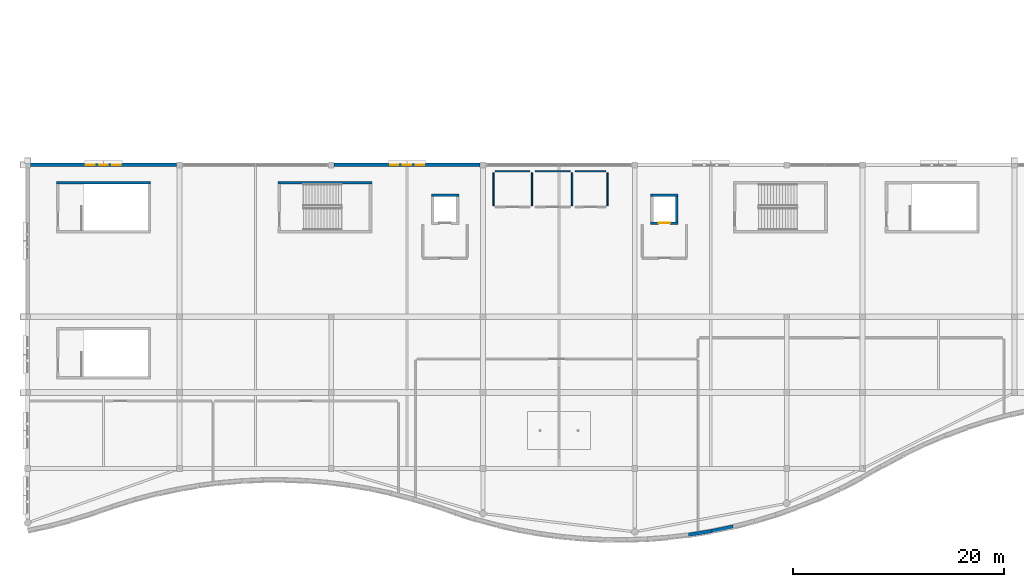
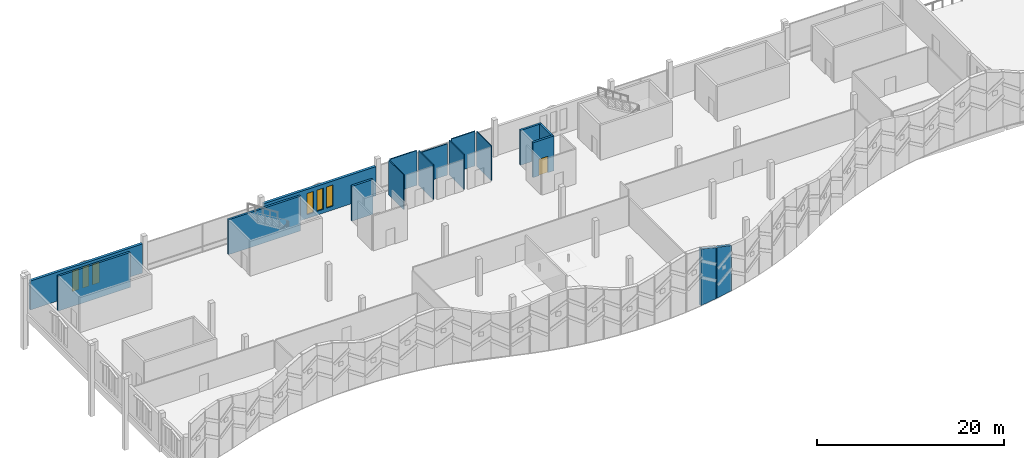
# One storey, part 84 of 116: 17 walls, 6 windows, 1 door, 7 openings.
"""IFC4 building model written with IfcOpenShell, lengths in metres."""

from ifc_helpers import new_model, si_unit, direction, frame, frame_2d, origin, place, context, subcontext, project, spatial, polyline, rectangle, outline, extrude, material, layer, layer_set, type_object, element, fill, save


model = new_model("IFC4")

# Units and contexts
model_context = context("Model", 3, precision=1e-05, world=origin(), true_north=direction((0.0, 1.0)))
body_context = subcontext(model_context, "Body", "Model", "MODEL_VIEW")
ifc_project = project(units=[si_unit("LENGTHUNIT", "METRE"), si_unit("AREAUNIT", "SQUARE_METRE"), si_unit("VOLUMEUNIT", "CUBIC_METRE"), si_unit("PLANEANGLEUNIT", "RADIAN"), si_unit("MASSUNIT", "GRAM", prefix="KILO")], contexts=[model_context])

# Site, building, storey
site_placement = place(None, origin())
site = spatial("IfcSite", under=ifc_project, at=site_placement, CompositionType="ELEMENT")
building_placement = place(site_placement, origin())
building = spatial("IfcBuilding", under=site, at=building_placement, Name="Cendralis Lancet Convention Centre", CompositionType="ELEMENT")
storey_placement = place(building_placement, frame((0.0, 0.0, 15.0)))
storey = spatial("IfcBuildingStorey", under=building, at=storey_placement, Name="L03", CompositionType="ELEMENT", Elevation=15.0)

# Wall, openings, windows
ifc_material_1 = material(Name="Buff sandstone ashlar and Concrete G40 (C40/50)", Category="masonry")
ifc_layer_1 = layer(ifc_material_1, 0.320068359375, Name="Buff sandstone ashlar and Concrete G40 (C40/50)")
ifc_layer_set_1 = layer_set([ifc_layer_1], Name="Buff sandstone ashlar and Concrete G40 (C40/50)")
wall_type_1 = type_object("IfcWallType", Name="ARC-EW-W320", PredefinedType="STANDARD", material=ifc_layer_set_1)
wall_1_placement = place(storey_placement, frame((0.282958984375, 36.0, 0.0), z_axis=(0.0, 0.0, 1.0), x_axis=(1.0, 0.0, 0.0)))
wall_1 = element("IfcWall", 1, at=wall_1_placement, inside=storey, type_object=wall_type_1, Name="L03 V4 Exterior Wall EW-06 #0218", PredefinedType="STANDARD", context=body_context, shape_type="SweptSolid", body=[
    extrude(rectangle(XDim=13.833984375, YDim=0.320068359375, at=frame_2d((6.9169921875, 0.0))), origin(), (0.0, 0.0, 1.0), 3.784912109375),
])
opening_1_placement = place(wall_1_placement, frame((5.257080078125, 0.0, 0.5)))
opening_1 = element("IfcOpeningElement", 2, at=opening_1_placement, cuts=wall_1, Name="Opening WN-15", PredefinedType="OPENING", context=body_context, shape_type="SweptSolid", body=[
    extrude(rectangle(XDim=0.840087890625, YDim=2.699951171875, at=frame_2d((0.419921875, 1.35009765625))), frame((0.0, 0.169921875, 0.0), z_axis=(0.0, -1.0, 0.0), x_axis=(1.0, 0.0, 0.0)), (0.0, 0.0, 1.0), 0.340087890625),
])
opening_2_placement = place(wall_1_placement, frame((6.51708984375, 0.0, 0.5)))
opening_2 = element("IfcOpeningElement", 3, at=opening_2_placement, cuts=wall_1, Name="Opening WN-07", PredefinedType="OPENING", context=body_context, shape_type="SweptSolid", body=[
    extrude(rectangle(XDim=0.800048828125, YDim=2.75, at=frame_2d((0.39990234375, 1.375))), frame((0.0, 0.169921875, 0.0), z_axis=(0.0, -1.0, 0.0), x_axis=(1.0, 0.0, 0.0)), (0.0, 0.0, 1.0), 0.340087890625),
])
opening_3_placement = place(wall_1_placement, frame((7.737060546875, 0.0, 0.5)))
opening_3 = element("IfcOpeningElement", 4, at=opening_3_placement, cuts=wall_1, Name="Opening WN-15", PredefinedType="OPENING", context=body_context, shape_type="SweptSolid", body=[
    extrude(rectangle(XDim=0.840087890625, YDim=2.699951171875, at=frame_2d((0.419921875, 1.35009765625))), frame((0.0, 0.169921875, 0.0), z_axis=(0.0, -1.0, 0.0), x_axis=(1.0, 0.0, 0.0)), (0.0, 0.0, 1.0), 0.340087890625),
])
ifc_material_2 = material(Name="Double-glazed low-E solar-control glass", Category="glass")
window_type_1 = type_object("IfcWindowType", Name="ARC-WN-LW07", PartitioningType="SINGLE_PANEL", PredefinedType="WINDOW", material=ifc_material_2)
window_1_placement = place(opening_2_placement, origin())
window_1 = element("IfcWindow", 5, at=window_1_placement, inside=storey, type_object=window_type_1, Name="Gothic Lancet Window WN-07 #0434", OverallHeight=2.75, OverallWidth=0.800048828125, PartitioningType="SINGLE_PANEL", PredefinedType="WINDOW", context=body_context, shape_type="SweptSolid", body=[
    extrude(rectangle(XDim=0.800048828125, YDim=2.75, at=frame_2d((0.39990234375, 1.375))), frame((0.0, 0.030029296875, 0.0), z_axis=(0.0, -1.0, 0.0), x_axis=(1.0, 0.0, 0.0)), (0.0, 0.0, 1.0), 0.06005859375),
])
fill(opening_2, window_1)
window_type_2 = type_object("IfcWindowType", Name="ARC-WN-LW15", PartitioningType="SINGLE_PANEL", PredefinedType="WINDOW", material=ifc_material_2)
window_2_placement = place(opening_1_placement, origin())
window_2 = element("IfcWindow", 6, at=window_2_placement, inside=storey, type_object=window_type_2, Name="Gothic Lancet Window WN-15 #0433", OverallHeight=2.699951171875, OverallWidth=0.840087890625, PartitioningType="SINGLE_PANEL", PredefinedType="WINDOW", context=body_context, shape_type="SweptSolid", body=[
    extrude(rectangle(XDim=0.840087890625, YDim=2.699951171875, at=frame_2d((0.419921875, 1.35009765625))), frame((0.0, 0.030029296875, 0.0), z_axis=(0.0, -1.0, 0.0), x_axis=(1.0, 0.0, 0.0)), (0.0, 0.0, 1.0), 0.06005859375),
])
fill(opening_1, window_2)
window_3_placement = place(opening_3_placement, origin())
window_3 = element("IfcWindow", 7, at=window_3_placement, inside=storey, type_object=window_type_2, Name="Gothic Lancet Window WN-15 #0435", OverallHeight=2.699951171875, OverallWidth=0.840087890625, PartitioningType="SINGLE_PANEL", PredefinedType="WINDOW", context=body_context, shape_type="SweptSolid", body=[
    extrude(rectangle(XDim=0.840087890625, YDim=2.699951171875, at=frame_2d((0.419921875, 1.35009765625))), frame((0.0, 0.030029296875, 0.0), z_axis=(0.0, -1.0, 0.0), x_axis=(1.0, 0.0, 0.0)), (0.0, 0.0, 1.0), 0.06005859375),
])
fill(opening_3, window_3)

wall_2_placement = place(storey_placement, frame((29.0830078125, 36.0, 0.0), z_axis=(0.0, 0.0, 1.0), x_axis=(1.0, 0.0, 0.0)))
wall_2 = element("IfcWall", 8, at=wall_2_placement, inside=storey, type_object=wall_type_1, Name="L03 V4 Exterior Wall EW-06 #0219", PredefinedType="STANDARD", context=body_context, shape_type="SweptSolid", body=[
    extrude(rectangle(XDim=13.833984375, YDim=0.320068359375, at=frame_2d((6.9169921875, 0.0))), origin(), (0.0, 0.0, 1.0), 3.784912109375),
])
opening_4_placement = place(wall_2_placement, frame((5.297119140625, 0.0, 0.5)))
opening_4 = element("IfcOpeningElement", 9, at=opening_4_placement, cuts=wall_2, Name="Opening WN-07", PredefinedType="OPENING", context=body_context, shape_type="SweptSolid", body=[
    extrude(rectangle(XDim=0.800048828125, YDim=2.75, at=frame_2d((0.39990234375, 1.375))), frame((0.0, 0.169921875, 0.0), z_axis=(0.0, -1.0, 0.0), x_axis=(1.0, 0.0, 0.0)), (0.0, 0.0, 1.0), 0.340087890625),
])
opening_5_placement = place(wall_2_placement, frame((6.51708984375, 0.0, 0.5)))
opening_5 = element("IfcOpeningElement", 10, at=opening_5_placement, cuts=wall_2, Name="Opening WN-07", PredefinedType="OPENING", context=body_context, shape_type="SweptSolid", body=[
    extrude(rectangle(XDim=0.800048828125, YDim=2.75, at=frame_2d((0.39990234375, 1.375))), frame((0.0, 0.169921875, 0.0), z_axis=(0.0, -1.0, 0.0), x_axis=(1.0, 0.0, 0.0)), (0.0, 0.0, 1.0), 0.340087890625),
])
opening_6_placement = place(wall_2_placement, frame((7.737060546875, 0.0, 0.5)))
opening_6 = element("IfcOpeningElement", 11, at=opening_6_placement, cuts=wall_2, Name="Opening WN-07", PredefinedType="OPENING", context=body_context, shape_type="SweptSolid", body=[
    extrude(rectangle(XDim=0.800048828125, YDim=2.75, at=frame_2d((0.39990234375, 1.375))), frame((0.0, 0.169921875, 0.0), z_axis=(0.0, -1.0, 0.0), x_axis=(1.0, 0.0, 0.0)), (0.0, 0.0, 1.0), 0.340087890625),
])
window_4_placement = place(opening_4_placement, origin())
window_4 = element("IfcWindow", 12, at=window_4_placement, inside=storey, type_object=window_type_1, Name="Gothic Lancet Window WN-07 #0436", OverallHeight=2.75, OverallWidth=0.800048828125, PartitioningType="SINGLE_PANEL", PredefinedType="WINDOW", context=body_context, shape_type="SweptSolid", body=[
    extrude(rectangle(XDim=0.800048828125, YDim=2.75, at=frame_2d((0.39990234375, 1.375))), frame((0.0, 0.030029296875, 0.0), z_axis=(0.0, -1.0, 0.0), x_axis=(1.0, 0.0, 0.0)), (0.0, 0.0, 1.0), 0.06005859375),
])
fill(opening_4, window_4)
window_5_placement = place(opening_5_placement, origin())
window_5 = element("IfcWindow", 13, at=window_5_placement, inside=storey, type_object=window_type_1, Name="Gothic Lancet Window WN-07 #0437", OverallHeight=2.75, OverallWidth=0.800048828125, PartitioningType="SINGLE_PANEL", PredefinedType="WINDOW", context=body_context, shape_type="SweptSolid", body=[
    extrude(rectangle(XDim=0.800048828125, YDim=2.75, at=frame_2d((0.39990234375, 1.375))), frame((0.0, 0.030029296875, 0.0), z_axis=(0.0, -1.0, 0.0), x_axis=(1.0, 0.0, 0.0)), (0.0, 0.0, 1.0), 0.06005859375),
])
fill(opening_5, window_5)
window_6_placement = place(opening_6_placement, origin())
window_6 = element("IfcWindow", 14, at=window_6_placement, inside=storey, type_object=window_type_1, Name="Gothic Lancet Window WN-07 #0438", OverallHeight=2.75, OverallWidth=0.800048828125, PartitioningType="SINGLE_PANEL", PredefinedType="WINDOW", context=body_context, shape_type="SweptSolid", body=[
    extrude(rectangle(XDim=0.800048828125, YDim=2.75, at=frame_2d((0.39990234375, 1.375))), frame((0.0, 0.030029296875, 0.0), z_axis=(0.0, -1.0, 0.0), x_axis=(1.0, 0.0, 0.0)), (0.0, 0.0, 1.0), 0.06005859375),
])
fill(opening_6, window_6)

# Walls
ifc_layer_2 = layer(ifc_material_1, 0.340087890625, Name="Buff sandstone ashlar and Concrete G40 (C40/50)")
ifc_layer_set_2 = layer_set([ifc_layer_2], Name="Buff sandstone ashlar and Concrete G40 (C40/50)")
wall_type_2 = type_object("IfcWallType", Name="ARC-EW-W340", PredefinedType="STANDARD", material=ifc_layer_set_2)
wall_3_placement = place(storey_placement, frame((62.697998046875, 0.911376953125, 0.0), z_axis=(0.0, 0.0, 1.0), x_axis=(0.986905765568, 0.161297891767, 0.0)))
element("IfcWall", 15, at=wall_3_placement, inside=storey, type_object=wall_type_2, Name="South Boulevard Wave Crest Wall L03 WP-032-WP-033", PredefinedType="STANDARD", context=body_context, shape_type="SweptSolid", body=[
    extrude(outline(polyline([(0.0, 0.0), (2.221923828125, 0.0), (2.221923828125, 6.604248046875), (0.0, 7.384521484375), (0.0, 0.0)])), frame((0.0, 0.169921875, 0.0), z_axis=(0.0, -1.0, 0.0), x_axis=(1.0, 0.0, 0.0)), (0.0, 0.0, 1.0), 0.340087890625),
])
wall_4_placement = place(storey_placement, frame((64.723876953125, 1.23876953125, 0.0), z_axis=(0.0, 0.0, 1.0), x_axis=(0.97908550934, 0.20344917154, 0.0)))
element("IfcWall", 16, at=wall_4_placement, inside=storey, type_object=wall_type_2, Name="South Boulevard Wave Crest Wall L03 WP-033-WP-034", PredefinedType="STANDARD", context=body_context, shape_type="SweptSolid", body=[
    extrude(outline(polyline([(0.0, 0.0), (2.2392578125, 0.0), (2.2392578125, 5.894775390625), (0.0, 6.672607421875), (0.0, 0.0)])), frame((0.0, 0.169921875, 0.0), z_axis=(0.0, -1.0, 0.0), x_axis=(1.0, 0.0, 0.0)), (0.0, 0.0, 1.0), 0.340087890625),
])
ifc_material_3 = material(Name="Acoustic fire-rated gypsum board on steel studs", Category="steel")
ifc_layer_3 = layer(ifc_material_3, 0.1201171875, Name="Acoustic fire-rated gypsum board on steel studs")
ifc_layer_set_3 = layer_set([ifc_layer_3], Name="Acoustic fire-rated gypsum board on steel studs")
wall_type_3 = type_object("IfcWallType", Name="ARC-IW-P120", PredefinedType="PARTITIONING", material=ifc_layer_set_3)
wall_5_placement = place(storey_placement, frame((44.35009765625, 35.39990234375, 0.0), z_axis=(0.0, 0.0, 1.0), x_axis=(1.0, 0.0, 0.0)))
element("IfcWall", 17, at=wall_5_placement, inside=storey, type_object=wall_type_3, Name="L03 Interior Partition IW-05 #0297", PredefinedType="PARTITIONING", context=body_context, shape_type="SweptSolid", body=[
    extrude(rectangle(XDim=3.2998046875, YDim=0.1201171875, at=frame_2d((1.64990234375, 0.0))), origin(), (0.0, 0.0, 1.0), 4.534912109375),
])
for number, where, z_axis, x_axis, name in (
    (18, (44.199951171875, 32.139892578125, 0.0), (0.0, 0.0, 1.0), (0.0, 1.0, 0.0), "L03 Interior Partition IW-05 #0298"),
    (19, (47.85009765625, 32.139892578125, 0.0), (0.0, 0.0, 1.0), (0.0, 1.0, 0.0), "L03 Interior Partition IW-05 #0299"),
):
    element("IfcWall", number, at=place(storey_placement, frame(where, z_axis=z_axis, x_axis=x_axis)), inside=storey, type_object=wall_type_3, Name=name, PredefinedType="PARTITIONING", context=body_context, shape_type="SweptSolid", body=[
        extrude(rectangle(XDim=3.1201171875, YDim=0.1201171875, at=frame_2d((1.56005859375, 0.0))), origin(), (0.0, 0.0, 1.0), 4.534912109375),
    ])
wall_6_placement = place(storey_placement, frame((48.14990234375, 35.39990234375, 0.0), z_axis=(0.0, 0.0, 1.0), x_axis=(1.0, 0.0, 0.0)))
element("IfcWall", 20, at=wall_6_placement, inside=storey, type_object=wall_type_3, Name="L03 Interior Partition IW-05 #0301", PredefinedType="PARTITIONING", context=body_context, shape_type="SweptSolid", body=[
    extrude(rectangle(XDim=3.300048828125, YDim=0.1201171875, at=frame_2d((1.64990234375, 0.0))), origin(), (0.0, 0.0, 1.0), 4.0849609375),
])
wall_7_placement = place(storey_placement, frame((51.64990234375, 32.139892578125, 0.0), z_axis=(0.0, 0.0, 1.0), x_axis=(0.0, 1.0, 0.0)))
element("IfcWall", 21, at=wall_7_placement, inside=storey, type_object=wall_type_3, Name="L03 Interior Partition IW-05 #0302", PredefinedType="PARTITIONING", context=body_context, shape_type="SweptSolid", body=[
    extrude(rectangle(XDim=3.1201171875, YDim=0.1201171875, at=frame_2d((1.56005859375, 0.0))), origin(), (0.0, 0.0, 1.0), 4.534912109375),
])
wall_8_placement = place(storey_placement, frame((51.949951171875, 35.39990234375, 0.0), z_axis=(0.0, 0.0, 1.0), x_axis=(1.0, 0.0, 0.0)))
element("IfcWall", 22, at=wall_8_placement, inside=storey, type_object=wall_type_3, Name="L03 Interior Partition IW-05 #0304", PredefinedType="PARTITIONING", context=body_context, shape_type="SweptSolid", body=[
    extrude(rectangle(XDim=2.900146484375, YDim=0.1201171875, at=frame_2d((1.4501953125, 0.0))), origin(), (0.0, 0.0, 1.0), 4.534912109375),
])
wall_9_placement = place(storey_placement, frame((55.0, 32.139892578125, 0.0), z_axis=(0.0, 0.0, 1.0), x_axis=(0.0, 1.0, 0.0)))
element("IfcWall", 23, at=wall_9_placement, inside=storey, type_object=wall_type_3, Name="L03 Interior Partition IW-05 #0305", PredefinedType="PARTITIONING", context=body_context, shape_type="SweptSolid", body=[
    extrude(rectangle(XDim=3.1201171875, YDim=0.1201171875, at=frame_2d((1.56005859375, 0.0))), origin(), (0.0, 0.0, 1.0), 4.534912109375),
])
ifc_material_4 = material(Name="Concrete G40 (C40/50)", Category="concrete")
ifc_layer_4 = layer(ifc_material_4, 0.25, Name="Concrete G40 (C40/50)")
ifc_layer_set_4 = layer_set([ifc_layer_4], Name="Concrete G40 (C40/50)")
wall_type_4 = type_object("IfcWallType", Name="STR-SW-CW250", PredefinedType="SHEAR", material=ifc_layer_set_4)
for number, where, z_axis, x_axis, name in (
    (24, (23.75, 34.304931640625, 0.0), (0.0, 0.0, 1.0), (1.0, 0.0, 0.0), "L03 Stair Core ST-11 North Shear Wall"),
    (25, (2.75, 34.304931640625, 0.0), (0.0, 0.0, 1.0), (1.0, 0.0, 0.0), "L03 Stair Core ST-20 North Shear Wall"),
):
    element("IfcWall", number, at=place(storey_placement, frame(where, z_axis=z_axis, x_axis=x_axis)), inside=storey, type_object=wall_type_4, Name=name, PredefinedType="SHEAR", context=body_context, shape_type="SweptSolid", body=[
        extrude(rectangle(XDim=8.89990234375, YDim=0.25, at=frame_2d((4.449951171875, 0.0))), origin(), (0.0, 0.0, 1.0), 4.550048828125),
    ])
wall_10_placement = place(storey_placement, frame((38.300048828125, 33.125, 0.0), z_axis=(0.0, 0.0, 1.0), x_axis=(1.0, 0.0, 0.0)))
element("IfcWall", 26, at=wall_10_placement, inside=storey, type_object=wall_type_4, Name="L03 Lift LP-03 North Shaft Wall", PredefinedType="SHEAR", context=body_context, shape_type="SweptSolid", body=[
    extrude(rectangle(XDim=2.599853515625, YDim=0.25, at=frame_2d((1.2998046875, 0.0))), origin(), (0.0, 0.0, 1.0), 4.550048828125),
])

# Wall, opening, door
wall_11_placement = place(storey_placement, frame((59.10009765625, 30.47509765625, 0.0), z_axis=(0.0, 0.0, 1.0), x_axis=(1.0, 0.0, 0.0)))
wall_11 = element("IfcWall", 27, at=wall_11_placement, inside=storey, type_object=wall_type_4, Name="L03 Lift LP-04 South Shaft Wall", PredefinedType="SHEAR", context=body_context, shape_type="SweptSolid", body=[
    extrude(rectangle(XDim=2.599853515625, YDim=0.25, at=frame_2d((1.2998046875, 0.0))), origin(), (0.0, 0.0, 1.0), 4.550048828125),
])
opening_7_placement = place(wall_11_placement, frame((0.75, 0.0, 0.0)))
opening_7 = element("IfcOpeningElement", 28, at=opening_7_placement, cuts=wall_11, Name="Opening LD-11", PredefinedType="OPENING", context=body_context, shape_type="SweptSolid", body=[
    extrude(rectangle(XDim=1.10009765625, YDim=2.14990234375, at=frame_2d((0.550048828125, 1.074951171875))), frame((0.0, 0.135009765625, 0.0), z_axis=(0.0, -1.0, 0.0), x_axis=(1.0, 0.0, 0.0)), (0.0, 0.0, 1.0), 0.27001953125),
])
ifc_material_5 = material(Name="Anodised bronze architectural aluminium", Category="aluminium")
door_type = type_object("IfcDoorType", Name="ARC-DR-LD11", OperationType="NOTDEFINED", PredefinedType="DOOR", material=ifc_material_5)
door_placement = place(opening_7_placement, origin())
door = element("IfcDoor", 29, at=door_placement, inside=storey, type_object=door_type, Name="L03-D035 L03 Lift LP-04 Sliding Landing Door", OperationType="SLIDING_TO_RIGHT", OverallHeight=2.14990234375, OverallWidth=1.10009765625, PredefinedType="DOOR", context=body_context, shape_type="SweptSolid", body=[
    extrude(rectangle(XDim=1.10009765625, YDim=2.14990234375, at=frame_2d((0.550048828125, 1.074951171875))), frame((0.0, 0.02490234375, 0.0), z_axis=(0.0, -1.0, 0.0), x_axis=(1.0, 0.0, 0.0)), (0.0, 0.0, 1.0), 0.050048828125),
])
fill(opening_7, door)

# Walls
wall_12_placement = place(storey_placement, frame((59.10009765625, 33.125, 0.0), z_axis=(0.0, 0.0, 1.0), x_axis=(1.0, 0.0, 0.0)))
element("IfcWall", 30, at=wall_12_placement, inside=storey, type_object=wall_type_4, Name="L03 Lift LP-04 North Shaft Wall", PredefinedType="SHEAR", context=body_context, shape_type="SweptSolid", body=[
    extrude(rectangle(XDim=2.599853515625, YDim=0.25, at=frame_2d((1.2998046875, 0.0))), origin(), (0.0, 0.0, 1.0), 4.550048828125),
])
wall_13_placement = place(storey_placement, frame((61.574951171875, 30.60009765625, 0.0), z_axis=(0.0, 0.0, 1.0), x_axis=(0.0, 1.0, 0.0)))
element("IfcWall", 31, at=wall_13_placement, inside=storey, type_object=wall_type_4, Name="L03 Lift LP-04 East Shaft Wall", PredefinedType="SHEAR", context=body_context, shape_type="SweptSolid", body=[
    extrude(rectangle(XDim=2.39990234375, YDim=0.25, at=frame_2d((1.199951171875, 0.0))), origin(), (0.0, 0.0, 1.0), 4.550048828125),
])

save(model, "model.ifc")
